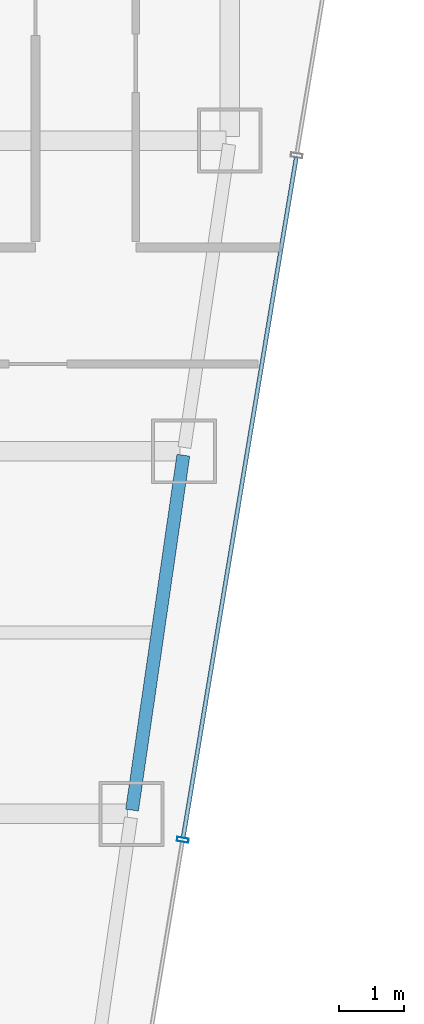
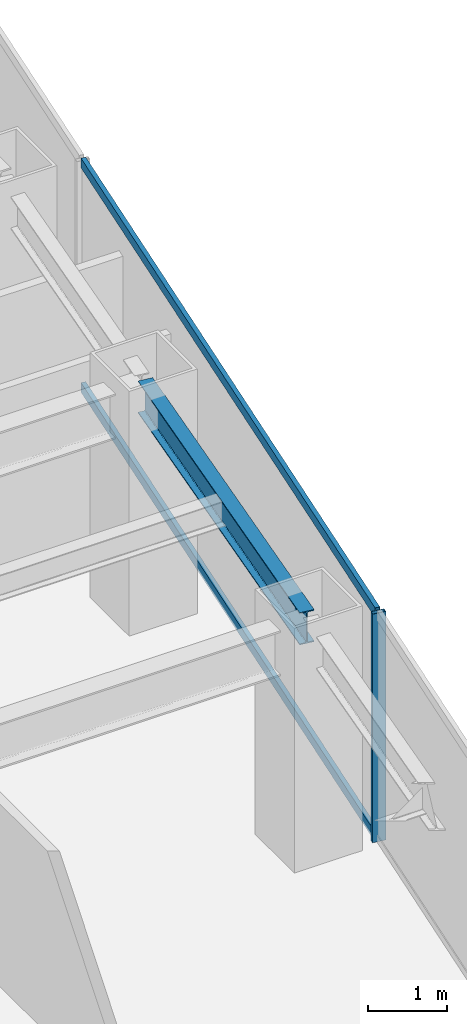
# One storey, part 19 of 38: 3 members, 1 beam, 1 element without a shape of its own.
"""IFC4 building model written with IfcOpenShell, lengths in metres."""

from ifc_helpers import new_model, si_unit, direction, frame, origin, origin_2d, place, context, subcontext, project, spatial, hollow_rectangle, i_section, extrude, material, material_profile, profile_set, type_object, element, aggregate, save


model = new_model("IFC4")

# Units and contexts
model_context = context("Model", 3, precision=1e-05, world=origin(), true_north=direction((0.0, 1.0)))
body_context = subcontext(model_context, "Body", "Model", "MODEL_VIEW")
ifc_project = project(units=[si_unit("LENGTHUNIT", "METRE"), si_unit("AREAUNIT", "SQUARE_METRE"), si_unit("VOLUMEUNIT", "CUBIC_METRE"), si_unit("PLANEANGLEUNIT", "RADIAN"), si_unit("MASSUNIT", "GRAM", prefix="KILO")], contexts=[model_context])

# Site, building, storey
site_placement = place(None, origin())
site = spatial("IfcSite", under=ifc_project, at=site_placement, CompositionType="ELEMENT")
building_placement = place(site_placement, origin())
building = spatial("IfcBuilding", under=site, at=building_placement, Name="Saevonmaru Cultural Tower", CompositionType="ELEMENT")
storey_placement = place(building_placement, frame((0.0, 0.0, 137.199951171875)))
storey = spatial("IfcBuildingStorey", under=building, at=storey_placement, Name="L29", CompositionType="ELEMENT", Elevation=137.199951171875)

# Beam
ifc_material_1 = material(Name="Steel SM355", Category="steel")
ifc_material_profile_1 = material_profile(ifc_material_1, i_section(OverallWidth=0.199951171875, OverallDepth=0.5, WebThickness=0.010009765625, FlangeThickness=0.01611328125, FilletRadius=0.02001953125, at=origin_2d()), Name="H-500x200x10x16")
ifc_profile_set_1 = profile_set([ifc_material_profile_1], Name="Steel SM355")
beam_type = type_object("IfcBeamType", Name="BM-SP-H500", PredefinedType="SPANDREL", material=ifc_profile_set_1)
beam_placement = place(storey_placement, frame((51.691650390625, 32.059326171875, 3.300048828125), z_axis=(0.142964121327, 0.989727871697, 0.0), x_axis=(-0.989727871697, 0.142964121327, 0.0)))
element("IfcBeam", 1, at=beam_placement, inside=storey, type_object=beam_type, Name="L29 East Splayed Spandrel 4", PredefinedType="SPANDREL", context=body_context, shape_type="SweptSolid", body=[
    extrude(i_section(OverallWidth=0.199951171875, OverallDepth=0.5, WebThickness=0.010009765625, FlangeThickness=0.01611328125, FilletRadius=0.02001953125, at=origin_2d()), origin(), (0.0, 0.0, 1.0), 5.5380859375),
])

# Curtain wall, members
ifc_material_2 = material(Name="Satin Bronze Anodised Aluminium", Category="aluminium")
curtain_wall_type = type_object("IfcCurtainWallType", Name="CW-TYP-A", PredefinedType="NOTDEFINED", material=ifc_material_2)
curtain_wall_placement = place(storey_placement, origin())
curtain_wall = element("IfcCurtainWall", 2, at=curtain_wall_placement, inside=storey, type_object=curtain_wall_type, Name="L29 Unitised Curtain Wall E8", PredefinedType="NOTDEFINED")
ifc_material_profile_2 = material_profile(ifc_material_2, hollow_rectangle(XDim=0.06494140625, YDim=0.179931640625, WallThickness=0.00390625, at=origin_2d()), Name="ALU-MULL-180x65x4")
ifc_profile_set_2 = profile_set([ifc_material_profile_2], Name="Satin Bronze Anodised Aluminium")
member_type_1 = type_object("IfcMemberType", Name="ML-CW-180x65", PredefinedType="MULLION", material=ifc_profile_set_2)
member_1_placement = place(storey_placement, frame((52.4755859375, 31.60009765625, 0.0), z_axis=(0.0, 0.0, 1.0), x_axis=(0.163998702345, 0.986460554523, 0.0)))
member_1 = element("IfcMember", 3, at=member_1_placement, type_object=member_type_1, Name="CW-TW-L29-E8 mullion 3", PredefinedType="MULLION", context=body_context, shape_type="SweptSolid", body=[
    extrude(hollow_rectangle(XDim=0.06494140625, YDim=0.179931640625, WallThickness=0.00390625, at=origin_2d()), origin(), (0.0, 0.0, 1.0), 3.550048828125),
])
ifc_material_profile_3 = material_profile(ifc_material_2, hollow_rectangle(XDim=0.06494140625, YDim=0.14990234375, WallThickness=0.00390625, at=origin_2d()), Name="ALU-TRAN-150x65x4")
ifc_profile_set_3 = profile_set([ifc_material_profile_3], Name="Satin Bronze Anodised Aluminium")
member_type_2 = type_object("IfcMemberType", Name="TR-CW-150x65", PredefinedType="USERDEFINED", material=ifc_profile_set_3)
member_2_placement = place(storey_placement, frame((52.48095703125, 31.632080078125, 0.032470703125), z_axis=(0.163990079074, 0.9864619881, 0.0), x_axis=(-0.9864619881, 0.163990079074, 0.0)))
member_2 = element("IfcMember", 4, at=member_2_placement, type_object=member_type_2, Name="CW-TW-L29-E8 transom 3.1", ObjectType="TRANSOM", PredefinedType="USERDEFINED", context=body_context, shape_type="SweptSolid", body=[
    extrude(hollow_rectangle(XDim=0.06494140625, YDim=0.14990234375, WallThickness=0.00390625, at=origin_2d()), origin(), (0.0, 0.0, 1.0), 10.650634765625),
])
member_3_placement = place(storey_placement, frame((52.48095703125, 31.632080078125, 3.517578125), z_axis=(0.163990079074, 0.9864619881, 0.0), x_axis=(-0.9864619881, 0.163990079074, 0.0)))
member_3 = element("IfcMember", 5, at=member_3_placement, type_object=member_type_2, Name="CW-TW-L29-E8 transom 3.2", ObjectType="TRANSOM", PredefinedType="USERDEFINED", context=body_context, shape_type="SweptSolid", body=[
    extrude(hollow_rectangle(XDim=0.06494140625, YDim=0.14990234375, WallThickness=0.00390625, at=origin_2d()), origin(), (0.0, 0.0, 1.0), 10.650634765625),
])
aggregate(curtain_wall, [member_1, member_2, member_3])

save(model, "model.ifc")
